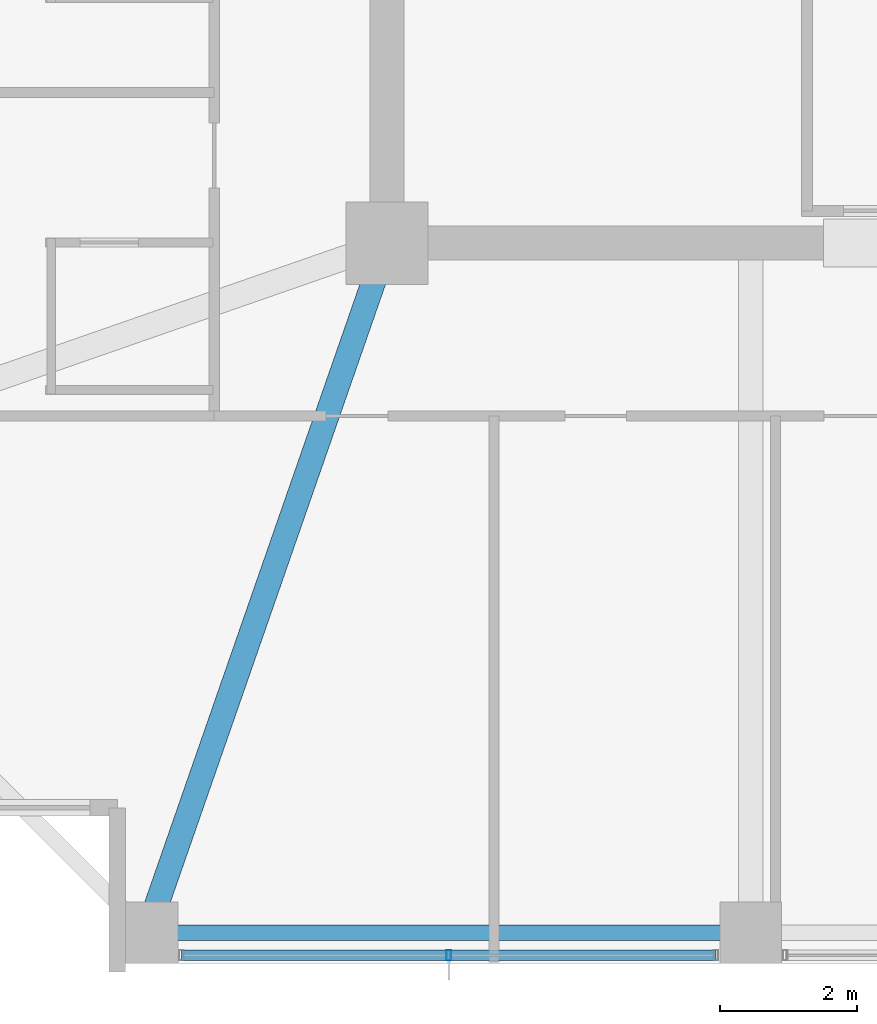
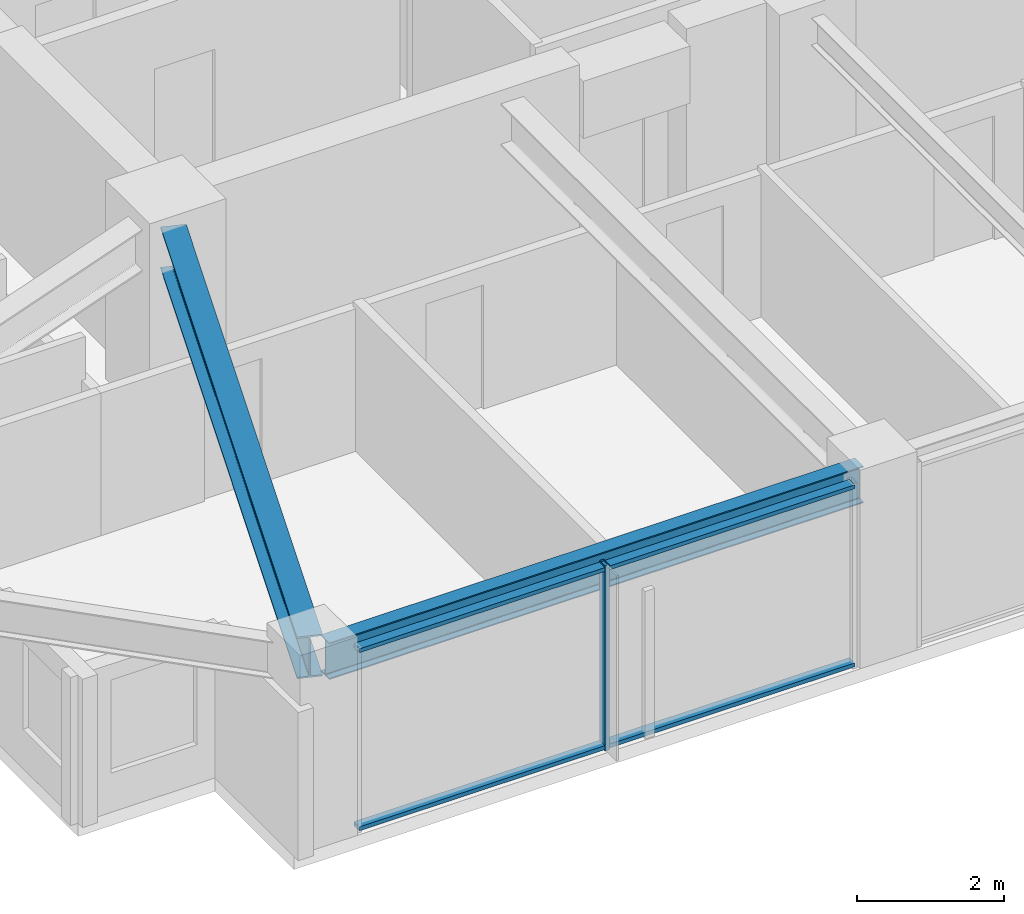
# One storey, part 3 of 34: 3 members, 2 beams, 1 element without a shape of its own.
"""IFC4 building model written with IfcOpenShell, lengths in metres."""

from ifc_helpers import new_model, si_unit, direction, frame, origin, origin_2d, place, context, subcontext, project, spatial, hollow_rectangle, i_section, extrude, material, material_profile, profile_set, type_object, element, aggregate, save


model = new_model("IFC4")

# Units and contexts
model_context = context("Model", 3, precision=1e-05, world=origin(), true_north=direction((0.0, 1.0)))
body_context = subcontext(model_context, "Body", "Model", "MODEL_VIEW")
ifc_project = project(units=[si_unit("LENGTHUNIT", "METRE"), si_unit("AREAUNIT", "SQUARE_METRE"), si_unit("VOLUMEUNIT", "CUBIC_METRE"), si_unit("PLANEANGLEUNIT", "RADIAN"), si_unit("MASSUNIT", "GRAM", prefix="KILO")], contexts=[model_context])

# Site, building, storey
site_placement = place(None, origin())
site = spatial("IfcSite", under=ifc_project, at=site_placement, CompositionType="ELEMENT")
building_placement = place(site_placement, origin())
building = spatial("IfcBuilding", under=site, at=building_placement, Name="Kolvaren Belvedere", CompositionType="ELEMENT")
storey_placement = place(building_placement, frame((0.0, 0.0, 189.89990234375)))
storey = spatial("IfcBuildingStorey", under=building, at=storey_placement, Name="L55", CompositionType="ELEMENT", Elevation=189.89990234375)

# Beams
ifc_material_1 = material(Name="Structural steel ASTM A992 Grade 50", Category="steel")
ifc_material_profile_1 = material_profile(ifc_material_1, i_section(OverallWidth=0.35498046875, OverallDepth=0.696044921875, WebThickness=0.015380859375, FlangeThickness=0.02490234375, FilletRadius=0.02197265625, at=origin_2d()), Name="W27X146")
ifc_profile_set_1 = profile_set([ifc_material_profile_1], Name="Structural steel ASTM A992 Grade 50")
beam_type_1 = type_object("IfcBeamType", Name="BM-GIRD-W27X146", PredefinedType="BEAM", material=ifc_profile_set_1)
beam_1_placement = place(storey_placement, frame((-10.080810546875, -10.41943359375, 2.732177734375), z_axis=(-0.328894130701, -0.944366798861, 0.0), x_axis=(0.944366798861, -0.328894130701, 0.0)))
element("IfcBeam", 1, at=beam_1_placement, inside=storey, type_object=beam_type_1, Name="L55 Corner Core-to-Perimeter Girder CC1-S1", PredefinedType="BEAM", context=body_context, shape_type="SweptSolid", body=[
    extrude(i_section(OverallWidth=0.35498046875, OverallDepth=0.696044921875, WebThickness=0.015380859375, FlangeThickness=0.02490234375, FilletRadius=0.02197265625, at=origin_2d()), origin(), (0.0, 0.0, 1.0), 9.912109375),
])
ifc_material_2 = material(Name="Structural steel ASTM A992 Grade 50", Category="steel")
ifc_material_profile_2 = material_profile(ifc_material_2, i_section(OverallWidth=0.22900390625, OverallDepth=0.612060546875, WebThickness=0.011962890625, FlangeThickness=0.01953125, FilletRadius=0.01806640625, at=origin_2d()), Name="W24X84")
ifc_profile_set_2 = profile_set([ifc_material_profile_2], Name="Structural steel ASTM A992 Grade 50")
beam_type_2 = type_object("IfcBeamType", Name="BM-SPAN-W24X84", PredefinedType="SPANDREL", material=ifc_profile_set_2)
beam_2_placement = place(storey_placement, frame((-13.197509765625, -19.949951171875, 2.774169921875), z_axis=(1.0, 0.0, 0.0), x_axis=(0.0, 1.0, 0.0)))
element("IfcBeam", 2, at=beam_2_placement, inside=storey, type_object=beam_type_2, Name="L55 Perimeter Spandrel S1-S2", PredefinedType="SPANDREL", context=body_context, shape_type="SweptSolid", body=[
    extrude(i_section(OverallWidth=0.22900390625, OverallDepth=0.612060546875, WebThickness=0.011962890625, FlangeThickness=0.01953125, FilletRadius=0.01806640625, at=origin_2d()), origin(), (0.0, 0.0, 1.0), 8.39501953125),
])

# Curtain wall, members
ifc_material_3 = material(Name="Anodised pale-metal aluminium AA 6063-T6", Category="aluminium")
curtain_wall_type = type_object("IfcCurtainWallType", Name="CW-Z5-HIGH", PredefinedType="NOTDEFINED", material=ifc_material_3)
curtain_wall_placement = place(storey_placement, origin())
curtain_wall = element("IfcCurtainWall", 3, at=curtain_wall_placement, inside=storey, type_object=curtain_wall_type, Name="L55 Unitised Curtain Wall FCW-L55-S-B3", PredefinedType="NOTDEFINED")
ifc_material_4 = material(Name="Anodised pale-metal aluminium AA 6063-T6", Category="aluminium")
ifc_material_profile_3 = material_profile(ifc_material_4, hollow_rectangle(XDim=0.070068359375, YDim=0.14990234375, WallThickness=0.004150390625, at=origin_2d()), Name="ALU-MUL-150X70")
ifc_profile_set_3 = profile_set([ifc_material_profile_3], Name="Anodised pale-metal aluminium AA 6063-T6")
member_type_1 = type_object("IfcMemberType", Name="CW-MUL-150", PredefinedType="MULLION", material=ifc_profile_set_3)
member_1_placement = place(storey_placement, frame((-9.0, -20.280029296875, 0.0), z_axis=(0.0, 0.0, 1.0), x_axis=(1.0, 0.0, 0.0)))
member_1 = element("IfcMember", 4, at=member_1_placement, type_object=member_type_1, Name="FCW-L55-S-B3 Unitised Mullion 2", PredefinedType="MULLION", context=body_context, shape_type="SweptSolid", body=[
    extrude(hollow_rectangle(XDim=0.070068359375, YDim=0.14990234375, WallThickness=0.004150390625, at=origin_2d()), origin(), (0.0, 0.0, 1.0), 3.080078125),
])
ifc_material_5 = material(Name="Anodised pale-metal aluminium AA 6063-T6", Category="aluminium")
ifc_material_profile_4 = material_profile(ifc_material_5, hollow_rectangle(XDim=0.06494140625, YDim=0.14990234375, WallThickness=0.00390625, at=origin_2d()), Name="ALU-TRN-150X65")
ifc_profile_set_4 = profile_set([ifc_material_profile_4], Name="Anodised pale-metal aluminium AA 6063-T6")
member_type_2 = type_object("IfcMemberType", Name="CW-TRN-150", PredefinedType="USERDEFINED", material=ifc_profile_set_4)
member_2_placement = place(storey_placement, frame((-5.10498046875, -20.280029296875, 0.06005859375), z_axis=(-1.0, 0.0, 0.0), x_axis=(0.0, 0.0, 1.0)))
member_2 = element("IfcMember", 5, at=member_2_placement, type_object=member_type_2, Name="FCW-L55-S-B3 Sill Transom", ObjectType="TRANSOM", PredefinedType="USERDEFINED", context=body_context, shape_type="SweptSolid", body=[
    extrude(hollow_rectangle(XDim=0.06494140625, YDim=0.14990234375, WallThickness=0.00390625, at=origin_2d()), origin(), (0.0, 0.0, 1.0), 7.7900390625),
])
member_3_placement = place(storey_placement, frame((-5.10498046875, -20.280029296875, 3.02001953125), z_axis=(-1.0, 0.0, 0.0), x_axis=(0.0, 0.0, 1.0)))
member_3 = element("IfcMember", 6, at=member_3_placement, type_object=member_type_2, Name="FCW-L55-S-B3 Head Transom", ObjectType="TRANSOM", PredefinedType="USERDEFINED", context=body_context, shape_type="SweptSolid", body=[
    extrude(hollow_rectangle(XDim=0.06494140625, YDim=0.14990234375, WallThickness=0.00390625, at=origin_2d()), origin(), (0.0, 0.0, 1.0), 7.7900390625),
])
aggregate(curtain_wall, [member_1, member_2, member_3])

save(model, "model.ifc")
